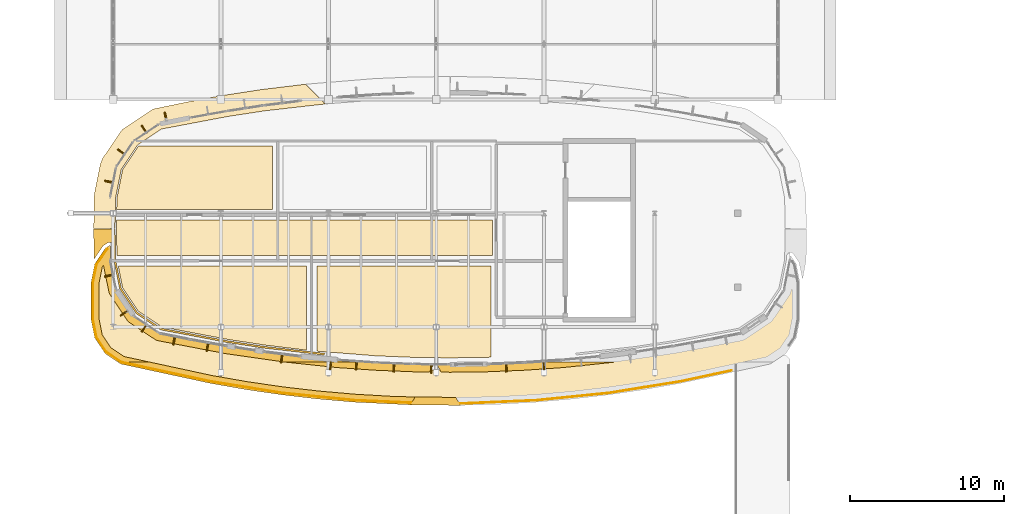
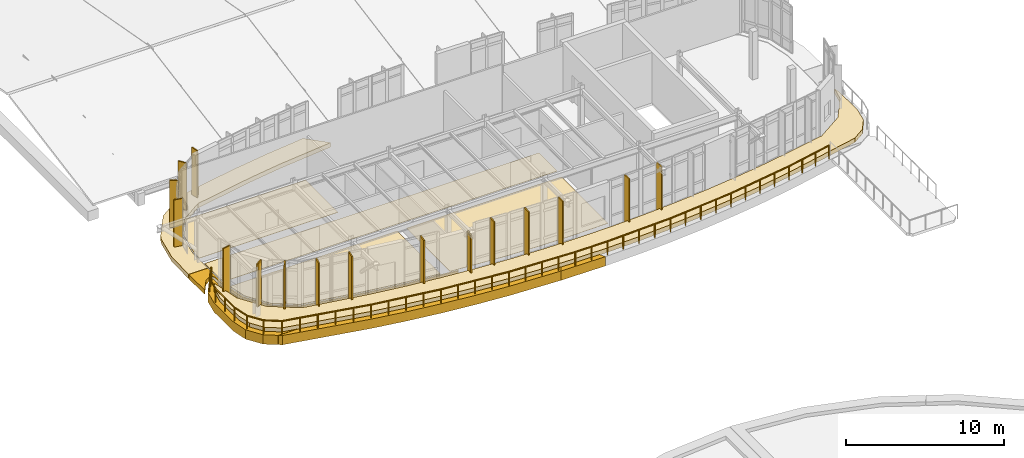
# One storey, part 97 of 105: 28 coverings, 3 shading devices, 1 railing.
"""IFC4 building model written with IfcOpenShell, lengths in metres."""

import ifcopenshell
import ifcopenshell.guid

model = None  # the IFC model being written
_history = None  # IfcOwnerHistory: only IFC2X3 demands one
_inside = {}  # id of a spatial element -> (the spatial element, [elements in it])
_under = {}  # id of a project, library or spatial element -> (it, [spatial elements below it])
_declared = {}  # id of a project -> (the project, [libraries it declares])
_typed = {}  # id of a type object -> (the type object, [elements of that type])
_made_of = {}  # id of a material, layer set ... -> (it, [elements and type objects made of it])


def new_model(schema):
    """Start an empty IFC model of exactly this schema.

    Asked for "IFC4X3", IfcOpenShell would pick the latest addendum, in which some entities
    have other attributes; the version numbers below select the first issue.
    IFC2X3 requires an IfcOwnerHistory on every rooted entity: one is made here for all.
    """
    global model, _history
    if schema == "IFC4X3":
        model = ifcopenshell.file(schema_version=(4, 3, 0, 0))
    else:
        model = ifcopenshell.file(schema=schema)
    _inside.clear()
    _under.clear()
    _declared.clear()
    _typed.clear()
    _made_of.clear()
    _history = None
    if model.schema == "IFC2X3":
        org = make("IfcOrganization", Name="unknown")
        user = make(
            "IfcPersonAndOrganization",
            ThePerson=make("IfcPerson", FamilyName="unknown"),
            TheOrganization=org,
        )
        app = make(
            "IfcApplication",
            ApplicationDeveloper=org,
            Version="unknown",
            ApplicationFullName="unknown",
            ApplicationIdentifier="unknown",
        )
        _history = make(
            "IfcOwnerHistory",
            OwningUser=user,
            OwningApplication=app,
            ChangeAction="ADDED",
            CreationDate=0,
        )
    return model


def make(cls, **values):
    """One entity of the class cls with the attributes given. An attribute that is None is left unset."""
    return model.create_entity(
        cls, **{name: value for name, value in values.items() if value is not None}
    )


def rooted(cls, **values):
    """An entity with a GlobalId (a new one), such as an element, a storey or a relation."""
    return make(cls, GlobalId=ifcopenshell.guid.new(), OwnerHistory=_history, **values)


def si_unit(unit_type, name, prefix=None):
    """IfcSIUnit, for example si_unit("LENGTHUNIT", "METRE", prefix="MILLI")."""
    return make("IfcSIUnit", UnitType=unit_type, Prefix=prefix, Name=name)


def assignment(units):
    """IfcUnitAssignment: the units of a project."""
    return None if units is None else make("IfcUnitAssignment", Units=units)


def point(xyz):
    """IfcCartesianPoint."""
    return None if xyz is None else make("IfcCartesianPoint", Coordinates=xyz)


def direction(xyz):
    """IfcDirection."""
    return None if xyz is None else make("IfcDirection", DirectionRatios=xyz)


def frame(location, z_axis=None, x_axis=None):
    """IfcAxis2Placement3D, a coordinate frame: its origin and axes. An axis left out is left unset."""
    return make(
        "IfcAxis2Placement3D",
        Location=point(location),
        Axis=direction(z_axis),
        RefDirection=direction(x_axis),
    )


def frame_2d(location, x_axis=None):
    """IfcAxis2Placement2D, a coordinate frame in the plane: its origin and x axis."""
    return make(
        "IfcAxis2Placement2D", Location=point(location), RefDirection=direction(x_axis)
    )


def origin():
    """The frame at (0, 0, 0) with its axes left unset."""
    return frame((0.0, 0.0, 0.0))


def origin_2d():
    """The frame at (0, 0) in the plane with its x axis left unset."""
    return frame_2d((0.0, 0.0))


def place(relative_to, where):
    """IfcLocalPlacement: puts the frame where relative to a parent placement (None: the world)."""
    return make(
        "IfcLocalPlacement", PlacementRelTo=relative_to, RelativePlacement=where
    )


def context(
    kind, dimensions, precision=None, world=None, true_north=None, identifier=None
):
    """IfcGeometricRepresentationContext, for example the 3D "Model" context."""
    return make(
        "IfcGeometricRepresentationContext",
        ContextIdentifier=identifier,
        ContextType=kind,
        CoordinateSpaceDimension=dimensions,
        Precision=precision,
        WorldCoordinateSystem=world,
        TrueNorth=true_north,
    )


def subcontext(parent, identifier, kind, view, scale=None):
    """IfcGeometricRepresentationSubContext, for example "Body" below "Model"."""
    return make(
        "IfcGeometricRepresentationSubContext",
        ContextIdentifier=identifier,
        ContextType=kind,
        ParentContext=parent,
        TargetScale=scale,
        TargetView=view,
    )


def project(units=None, contexts=None):
    """IfcProject with its units and contexts."""
    return rooted(
        "IfcProject",
        Name="project",
        RepresentationContexts=contexts,
        UnitsInContext=assignment(units),
    )


def spatial(cls, under=None, at=None, **own):
    """A site, building, storey or space (cls), placed at a placement, below another one or the project."""
    s = rooted(cls, ObjectPlacement=at, **own)
    if under is not None:
        _under.setdefault(under.id(), (under, []))[1].append(s)
    return s


def polyline(points):
    """IfcPolyline through the points."""
    return make("IfcPolyline", Points=[point(p) for p in points])


def profile(cls, at=None, kind="AREA", **sizes):
    """A parametric profile (cls). Its sizes go by their IFC names, for example OverallWidth=200.0."""
    return make(cls, ProfileType=kind, Position=at, **sizes)


def rectangle(**sizes):
    """IfcRectangleProfileDef."""
    return profile("IfcRectangleProfileDef", **sizes)


def circle(**sizes):
    """IfcCircleProfileDef."""
    return profile("IfcCircleProfileDef", **sizes)


def outline(outer, holes=None, kind="AREA"):
    """IfcArbitraryClosedProfileDef: a profile drawn as a closed curve; with holes, ...WithVoids."""
    if holes is None:
        return make("IfcArbitraryClosedProfileDef", ProfileType=kind, OuterCurve=outer)
    return make(
        "IfcArbitraryProfileDefWithVoids",
        ProfileType=kind,
        OuterCurve=outer,
        InnerCurves=holes,
    )


def extrude(swept, where, along, depth):
    """IfcExtrudedAreaSolid: the profile swept, set in the frame where, extruded along a direction by depth."""
    return make(
        "IfcExtrudedAreaSolid",
        SweptArea=swept,
        Position=where,
        ExtrudedDirection=direction(along),
        Depth=depth,
    )


def shape(context_of_items, identifier, shape_type, items):
    """IfcShapeRepresentation: the items that make up one representation, for example the "Body"."""
    return make(
        "IfcShapeRepresentation",
        ContextOfItems=context_of_items,
        RepresentationIdentifier=identifier,
        RepresentationType=shape_type,
        Items=items,
    )


def material(Name=None, Category=None):
    """IfcMaterial."""
    return make("IfcMaterial", Name=Name, Category=Category)


def layer(
    of_material, thickness, ventilated=None, Name=None, Category=None, Priority=None
):
    """IfcMaterialLayer: one layer of a wall or slab, of a material (None: an air gap)."""
    return make(
        "IfcMaterialLayer",
        Material=of_material,
        LayerThickness=thickness,
        IsVentilated=ventilated,
        Name=Name,
        Category=Category,
        Priority=Priority,
    )


def layer_set(layers, Name=None):
    """IfcMaterialLayerSet."""
    return make("IfcMaterialLayerSet", MaterialLayers=layers, LayerSetName=Name)


def made_of(thing, what):
    """Note that an element or type object is made of a material, layer set ...; save() writes the relation."""
    if what is not None:
        _made_of.setdefault(what.id(), (what, []))[1].append(thing)
    return thing


def type_object(cls, material=None, **own):
    """A type object (cls), such as IfcWallType, which elements share."""
    return made_of(rooted(cls, **own), material)


def element(
    cls,
    number,
    at=None,
    inside=None,
    cuts=None,
    type_object=None,
    material=None,
    context=None,
    identifier="Body",
    shape_type=None,
    held_by="IfcProductDefinitionShape",
    body=None,
    shapes=None,
    **own,
):
    """One element of the class cls, such as IfcWall. Its Tag is "e" and its number.

    at: its placement. inside: the storey or other place that contains it. cuts: it is an
    opening in that element (IfcRelVoidsElement). A single representation is given by context,
    identifier, shape_type and body (its items); several are given by shapes. held_by: the class
    of the entity that holds the representations. save() writes the other relations.
    """
    e = rooted(cls, Tag="e%d" % number, ObjectPlacement=at, **own)
    if body is not None:
        shapes = [shape(context, identifier, shape_type, body)]
    if shapes is not None:
        e.Representation = make(held_by, Representations=shapes)
    if inside is not None:
        _inside.setdefault(inside.id(), (inside, []))[1].append(e)
    if cuts is not None:
        rooted(
            "IfcRelVoidsElement", RelatingBuildingElement=cuts, RelatedOpeningElement=e
        )
    if type_object is not None:
        _typed.setdefault(type_object.id(), (type_object, []))[1].append(e)
    return made_of(e, material)


def aggregate(whole, parts):
    """IfcRelAggregates: a whole, such as a stair, and the parts it consists of."""
    return rooted("IfcRelAggregates", RelatingObject=whole, RelatedObjects=parts)


def save(model, path):
    """Write the relations noted so far, then the file.

    IfcRelAggregates (storeys below a building ...), IfcRelContainedInSpatialStructure (elements
    in a storey), IfcRelDefinesByType, IfcRelAssociatesMaterial and IfcRelDeclares: one each for
    every whole, place, type object, material and project.
    """
    for whole, parts in _under.values():
        aggregate(whole, parts)
    for where, things in _inside.values():
        rooted(
            "IfcRelContainedInSpatialStructure",
            RelatedElements=things,
            RelatingStructure=where,
        )
    for kind, things in _typed.values():
        rooted("IfcRelDefinesByType", RelatedObjects=things, RelatingType=kind)
    for what, things in _made_of.values():
        rooted("IfcRelAssociatesMaterial", RelatedObjects=things, RelatingMaterial=what)
    for by, libraries in _declared.values():
        rooted("IfcRelDeclares", RelatingContext=by, RelatedDefinitions=libraries)
    model.write(path)


model = new_model("IFC4")

# Units and contexts
model_context = context("Model", 3, precision=1e-05, world=origin(), true_north=direction((0.0, 1.0)))
body_context = subcontext(model_context, "Body", "Model", "MODEL_VIEW")
ifc_project = project(units=[si_unit("LENGTHUNIT", "METRE"), si_unit("AREAUNIT", "SQUARE_METRE"), si_unit("VOLUMEUNIT", "CUBIC_METRE"), si_unit("PLANEANGLEUNIT", "RADIAN"), si_unit("MASSUNIT", "GRAM", prefix="KILO")], contexts=[model_context])

# Site, building, storey
site_placement = place(None, origin())
site = spatial("IfcSite", under=ifc_project, at=site_placement, CompositionType="ELEMENT")
building_placement = place(site_placement, origin())
building = spatial("IfcBuilding", under=site, at=building_placement, Name="Corveleigh Park Community Centre", CompositionType="ELEMENT")
storey_placement = place(building_placement, frame((0.0, 0.0, 8.699951171875)))
storey = spatial("IfcBuildingStorey", under=building, at=storey_placement, Name="L02", CompositionType="ELEMENT", Elevation=8.699951171875)

# Coverings
ifc_material_1 = material(Name="Warm buff ribbed architectural cladding", Category="masonry")
ifc_layer_1 = layer(ifc_material_1, 0.0849609375, Name="Warm buff ribbed architectural cladding", Category="masonry")
ifc_layer_set_1 = layer_set([ifc_layer_1], Name="Warm buff ribbed architectural cladding")
covering_type_1 = type_object("IfcCoveringType", Name="COV-CLD-BUF", PredefinedType="CLADDING", material=ifc_layer_set_1)
covering_1_placement = place(storey_placement, origin())
element("IfcCovering", 1, at=covering_1_placement, inside=storey, type_object=covering_type_1, Name="V2 L02 Brise-soleil blade 298", PredefinedType="CLADDING", context=body_context, shape_type="SweptSolid", body=[
    extrude(outline(polyline([(17.425048828125, 76.99609375), (17.342041015625, 77.010986328125), (17.238037109375, 76.43994140625), (17.322021484375, 76.425048828125), (17.425048828125, 76.99609375)])), origin(), (0.0, 0.0, 1.0), 3.679931640625),
])
covering_2_placement = place(storey_placement, origin())
element("IfcCovering", 2, at=covering_2_placement, inside=storey, type_object=covering_type_1, Name="V2 L02 Brise-soleil blade 299", PredefinedType="CLADDING", context=body_context, shape_type="SweptSolid", body=[
    extrude(outline(polyline([(22.23095703125, 76.261962890625), (22.14697265625, 76.27197265625), (22.074951171875, 75.697021484375), (22.158935546875, 75.68603515625), (22.23095703125, 76.261962890625)])), origin(), (0.0, 0.0, 1.0), 3.679931640625),
])
covering_3_placement = place(storey_placement, origin())
element("IfcCovering", 3, at=covering_3_placement, inside=storey, type_object=covering_type_1, Name="V2 L02 Brise-soleil blade 300", PredefinedType="CLADDING", context=body_context, shape_type="SweptSolid", body=[
    extrude(outline(polyline([(25.383056640625, 75.748046875), (25.299072265625, 75.756103515625), (25.2470703125, 75.222900390625), (25.33203125, 75.215087890625), (25.383056640625, 75.748046875)])), origin(), (0.0, 0.0, 1.0), 3.259033203125),
])
covering_4_placement = place(storey_placement, origin())
element("IfcCovering", 4, at=covering_4_placement, inside=storey, type_object=covering_type_1, Name="V2 L02 Brise-soleil blade 301", PredefinedType="CLADDING", context=body_context, shape_type="SweptSolid", body=[
    extrude(outline(polyline([(27.070068359375, 75.794921875), (26.985107421875, 75.801025390625), (26.945068359375, 75.221923828125), (27.030029296875, 75.216064453125), (27.070068359375, 75.794921875)])), origin(), (0.0, 0.0, 1.0), 3.679931640625),
])
covering_5_placement = place(storey_placement, origin())
element("IfcCovering", 5, at=covering_5_placement, inside=storey, type_object=covering_type_1, Name="V2 L02 Brise-soleil blade 302", PredefinedType="CLADDING", context=body_context, shape_type="SweptSolid", body=[
    extrude(outline(polyline([(29.4970703125, 75.662109375), (29.412109375, 75.6650390625), (29.387939453125, 75.0859375), (29.472900390625, 75.08203125), (29.4970703125, 75.662109375)])), origin(), (0.0, 0.0, 1.0), 3.679931640625),
])
covering_6_placement = place(storey_placement, origin())
element("IfcCovering", 6, at=covering_6_placement, inside=storey, type_object=covering_type_1, Name="V2 L02 Brise-soleil blade 303", PredefinedType="CLADDING", context=body_context, shape_type="SweptSolid", body=[
    extrude(outline(polyline([(31.927001953125, 75.595947265625), (31.842041015625, 75.596923828125), (31.833984375, 75.01708984375), (31.9189453125, 75.01611328125), (31.927001953125, 75.595947265625)])), origin(), (0.0, 0.0, 1.0), 3.679931640625),
])
covering_7_placement = place(storey_placement, origin())
element("IfcCovering", 7, at=covering_7_placement, inside=storey, type_object=covering_type_1, Name="V2 L02 Brise-soleil blade 304", PredefinedType="CLADDING", context=body_context, shape_type="SweptSolid", body=[
    extrude(outline(polyline([(36.7880859375, 75.6650390625), (36.702880859375, 75.662109375), (36.72705078125, 75.08203125), (36.81201171875, 75.0859375), (36.7880859375, 75.6650390625)])), origin(), (0.0, 0.0, 1.0), 3.679931640625),
])
covering_8_placement = place(storey_placement, origin())
element("IfcCovering", 8, at=covering_8_placement, inside=storey, type_object=covering_type_1, Name="V2 L02 Brise-soleil blade 305", PredefinedType="CLADDING", context=body_context, shape_type="SweptSolid", body=[
    extrude(outline(polyline([(39.215087890625, 75.801025390625), (39.1298828125, 75.794921875), (39.169921875, 75.216064453125), (39.2548828125, 75.221923828125), (39.215087890625, 75.801025390625)])), origin(), (0.0, 0.0, 1.0), 3.679931640625),
])
covering_9_placement = place(storey_placement, origin())
element("IfcCovering", 9, at=covering_9_placement, inside=storey, type_object=covering_type_1, Name="V2 L02 Brise-soleil blade 326", PredefinedType="CLADDING", context=body_context, shape_type="SweptSolid", body=[
    extrude(outline(polyline([(14.614990234375, 91.43603515625), (14.698974609375, 91.451904296875), (14.593994140625, 91.97705078125), (14.510986328125, 91.9599609375), (14.614990234375, 91.43603515625)])), origin(), (0.0, 0.0, 1.0), 3.679931640625),
])
covering_10_placement = place(storey_placement, origin())
element("IfcCovering", 10, at=covering_10_placement, inside=storey, type_object=covering_type_1, Name="V2 L02 Brise-soleil blade 327", PredefinedType="CLADDING", context=body_context, shape_type="SweptSolid", body=[
    extrude(outline(polyline([(13.3349609375, 90.60302734375), (13.405029296875, 90.64990234375), (13.083984375, 91.133056640625), (13.012939453125, 91.0859375), (13.3349609375, 90.60302734375)])), origin(), (0.0, 0.0, 1.0), 3.679931640625),
])
covering_11_placement = place(storey_placement, origin())
element("IfcCovering", 11, at=covering_11_placement, inside=storey, type_object=covering_type_1, Name="V2 L02 Brise-soleil blade 328", PredefinedType="CLADDING", context=body_context, shape_type="SweptSolid", body=[
    extrude(outline(polyline([(11.949951171875, 89.195068359375), (11.9970703125, 89.264892578125), (11.513916015625, 89.5869140625), (11.467041015625, 89.51611328125), (11.949951171875, 89.195068359375)])), origin(), (0.0, 0.0, 1.0), 3.679931640625),
])
covering_12_placement = place(storey_placement, origin())
element("IfcCovering", 12, at=covering_12_placement, inside=storey, type_object=covering_type_1, Name="V2 L02 Brise-soleil blade 329", PredefinedType="CLADDING", context=body_context, shape_type="SweptSolid", body=[
    extrude(outline(polyline([(11.20703125, 87.35205078125), (11.222900390625, 87.43603515625), (10.655029296875, 87.549072265625), (10.637939453125, 87.466064453125), (11.20703125, 87.35205078125)])), origin(), (0.0, 0.0, 1.0), 3.679931640625),
])
covering_13_placement = place(storey_placement, origin())
element("IfcCovering", 13, at=covering_13_placement, inside=storey, type_object=covering_type_1, Name="V2 L02 Brise-soleil blade 330", PredefinedType="CLADDING", context=body_context, shape_type="SweptSolid", body=[
    extrude(outline(polyline([(11.222900390625, 81.364013671875), (11.20703125, 81.447998046875), (10.637939453125, 81.333984375), (10.655029296875, 81.2509765625), (11.222900390625, 81.364013671875)])), origin(), (0.0, 0.0, 1.0), 3.679931640625),
])
covering_14_placement = place(storey_placement, origin())
element("IfcCovering", 14, at=covering_14_placement, inside=storey, type_object=covering_type_1, Name="V2 L02 Brise-soleil blade 331", PredefinedType="CLADDING", context=body_context, shape_type="SweptSolid", body=[
    extrude(outline(polyline([(12.14599609375, 79.012939453125), (12.09912109375, 79.083984375), (11.654052734375, 78.787109375), (11.700927734375, 78.717041015625), (12.14599609375, 79.012939453125)])), origin(), (0.0, 0.0, 1.0), 3.679931640625),
])
covering_15_placement = place(storey_placement, origin())
element("IfcCovering", 15, at=covering_15_placement, inside=storey, type_object=covering_type_1, Name="V2 L02 Brise-soleil blade 332", PredefinedType="CLADDING", context=body_context, shape_type="SweptSolid", body=[
    extrude(outline(polyline([(13.405029296875, 78.14990234375), (13.3349609375, 78.197021484375), (13.012939453125, 77.714111328125), (13.083984375, 77.6669921875), (13.405029296875, 78.14990234375)])), origin(), (0.0, 0.0, 1.0), 3.679931640625),
])
covering_16_placement = place(storey_placement, origin())
element("IfcCovering", 16, at=covering_16_placement, inside=storey, type_object=covering_type_1, Name="V2 L02 Brise-soleil blade 333", PredefinedType="CLADDING", context=body_context, shape_type="SweptSolid", body=[
    extrude(outline(polyline([(15.256103515625, 77.405029296875), (15.172119140625, 77.422119140625), (15.05908203125, 76.85302734375), (15.14306640625, 76.8369140625), (15.256103515625, 77.405029296875)])), origin(), (0.0, 0.0, 1.0), 3.679931640625),
])
ifc_material_2 = material(Name="White architectural fascia cladding", Category="masonry")
ifc_layer_2 = layer(ifc_material_2, 0.074951171875, Name="White architectural fascia cladding", Category="masonry")
ifc_layer_set_2 = layer_set([ifc_layer_2], Name="White architectural fascia cladding")
covering_type_2 = type_object("IfcCoveringType", Name="COV-CLD-WHT", PredefinedType="CLADDING", material=ifc_layer_set_2)
covering_17_placement = place(storey_placement, frame((0.0, 0.0, -0.679931640625)))
element("IfcCovering", 17, at=covering_17_placement, inside=storey, type_object=covering_type_2, Name="Sports Studio Courtyard Terrace Sweeping White Edge Band 2", PredefinedType="CLADDING", context=body_context, shape_type="SweptSolid", body=[
    extrude(outline(polyline([(10.68505859375, 76.27392578125), (9.9970703125, 77.302978515625), (9.760009765625, 78.49609375), (9.760009765625, 80.904052734375), (9.9990234375, 82.10400390625), (10.674072265625, 83.114990234375), (10.971923828125, 83.31005859375), (11.011962890625, 83.27099609375), (11.02490234375, 82.385986328125), (11.419921875, 80.408935546875), (12.535888671875, 78.736083984375), (14.2109375, 77.618896484375), (18.5810546875, 76.7900390625), (20.98388671875, 76.423095703125), (23.39599609375, 76.12109375), (25.81494140625, 75.886962890625), (27.9541015625, 75.739013671875), (22.238037109375, 75.741943359375), (18.5009765625, 76.277099609375), (14.014892578125, 77.136962890625), (12.240966796875, 78.30810546875), (12.10791015625, 78.44091796875), (10.93896484375, 80.208984375), (10.568115234375, 82.02099609375), (10.488037109375, 81.902099609375), (10.280029296875, 80.85693359375), (10.280029296875, 78.54296875), (10.488037109375, 77.498046875), (11.052978515625, 76.653076171875), (11.902099609375, 76.0859375), (13.47802734375, 75.74609375), (11.472900390625, 75.7470703125), (10.68505859375, 76.27392578125)])), origin(), (0.0, 0.0, 1.0), 0.719970703125),
])
covering_18_placement = place(storey_placement, frame((0.0, 0.0, -0.679931640625)))
element("IfcCovering", 18, at=covering_18_placement, inside=storey, type_object=covering_type_2, Name="Sports Studio Courtyard Terrace Sweeping White Edge Band 3", PredefinedType="CLADDING", context=body_context, shape_type="SweptSolid", body=[
    extrude(outline(polyline([(30.527099609375, 72.945068359375), (26.888916015625, 73.117919921875), (24.530029296875, 73.322998046875), (22.179931640625, 73.594970703125), (19.839111328125, 73.93603515625), (17.507080078125, 74.344970703125), (11.702880859375, 75.596923828125), (11.50390625, 75.72607421875), (13.56396484375, 75.72705078125), (17.60693359375, 74.85498046875), (19.9208984375, 74.449951171875), (22.248046875, 74.111083984375), (24.5830078125, 73.841064453125), (26.927001953125, 73.636962890625), (29.27392578125, 73.501953125), (30.822998046875, 73.4560546875), (30.527099609375, 72.945068359375)])), origin(), (0.0, 0.0, 1.0), 0.719970703125),
])
covering_19_placement = place(storey_placement, frame((0.0, 0.0, -0.679931640625)))
element("IfcCovering", 19, at=covering_19_placement, inside=storey, type_object=covering_type_2, Name="Sports Studio Courtyard Terrace Sweeping White Edge Band 4", PredefinedType="CLADDING", context=body_context, shape_type="SweptSolid", body=[
    extrude(outline(polyline([(28.239990234375, 75.718994140625), (32.06103515625, 75.59912109375), (31.762939453125, 75.0830078125), (30.662109375, 75.097900390625), (28.218017578125, 75.198974609375), (25.779052734375, 75.367919921875), (22.31689453125, 75.73193359375), (28.239990234375, 75.718994140625)])), origin(), (0.0, 0.0, 1.0), 0.719970703125),
])
covering_20_placement = place(storey_placement, frame((0.0, 0.0, -0.679931640625)))
element("IfcCovering", 20, at=covering_20_placement, inside=storey, type_object=covering_type_2, Name="Sports Studio Courtyard Terrace Sweeping White Edge Band 5", PredefinedType="CLADDING", context=body_context, shape_type="SweptSolid", body=[
    extrude(outline(polyline([(33.76904296875, 72.9130859375), (30.531005859375, 72.945068359375), (30.825927734375, 73.4560546875), (33.468994140625, 73.43310546875), (33.76904296875, 72.9130859375)])), origin(), (0.0, 0.0, 1.0), 0.719970703125),
])
covering_21_placement = place(storey_placement, frame((0.0, 0.0, -0.679931640625)))
element("IfcCovering", 21, at=covering_21_placement, inside=storey, type_object=covering_type_2, Name="Sports Studio Courtyard Terrace Sweeping White Edge Band 7", PredefinedType="CLADDING", context=body_context, shape_type="SweptSolid", body=[
    extrude(outline(polyline([(32.221923828125, 75.596923828125), (35.530029296875, 75.617919921875), (38.172119140625, 75.73388671875), (43.8759765625, 75.73095703125), (40.43408203125, 75.368896484375), (37.9951171875, 75.199951171875), (35.551025390625, 75.097900390625), (33.10693359375, 75.06494140625), (32.52392578125, 75.072998046875), (32.221923828125, 75.596923828125)])), origin(), (0.0, 0.0, 1.0), 0.719970703125),
])
covering_22_placement = place(storey_placement, frame((0.0, 0.0, -0.300048828125)))
element("IfcCovering", 22, at=covering_22_placement, inside=storey, type_object=covering_type_2, Name="V2 L02 Horizontal Sun-Hood 4", PredefinedType="CLADDING", context=body_context, shape_type="SweptSolid", body=[
    extrude(outline(polyline([(9.929931640625, 84.412109375), (9.969970703125, 86.62109375), (10.364990234375, 88.60498046875), (10.52197265625, 88.98291015625), (11.77587890625, 90.823974609375), (13.798095703125, 92.175048828125), (15.97900390625, 92.6298828125), (18.41796875, 93.072021484375), (20.85009765625, 93.444091796875), (23.701904296875, 93.7890625), (24.986083984375, 92.506103515625), (21.028076171875, 92.054931640625), (18.635009765625, 91.68896484375), (14.3369140625, 90.875), (12.77001953125, 89.830078125), (11.72509765625, 88.262939453125), (11.34912109375, 86.37890625), (11.330078125, 84.410888671875), (9.929931640625, 84.412109375)])), origin(), (0.0, 0.0, 1.0), 0.340087890625),
])
covering_23_placement = place(storey_placement, frame((0.0, 0.0, -0.300048828125)))
element("IfcCovering", 23, at=covering_23_placement, inside=storey, type_object=covering_type_2, Name="V2 L02 Horizontal Sun-Hood 5", PredefinedType="CLADDING", context=body_context, shape_type="SweptSolid", body=[
    extrude(outline(polyline([(9.929931640625, 84.387939453125), (11.330078125, 84.388916015625), (11.34912109375, 82.4208984375), (11.72509765625, 80.537109375), (12.77001953125, 78.969970703125), (14.3369140625, 77.925048828125), (18.635009765625, 77.111083984375), (21.028076171875, 76.7451171875), (24.986083984375, 76.2939453125), (24.8798828125, 76.18798828125), (21.011962890625, 76.631103515625), (18.615966796875, 76.9970703125), (14.2919921875, 77.81689453125), (12.68701171875, 78.886962890625), (11.616943359375, 80.490966796875), (11.235107421875, 82.408935546875), (11.219970703125, 83.298095703125), (11.14697265625, 83.447998046875), (11.04296875, 83.510009765625), (10.89892578125, 83.509033203125), (10.548095703125, 83.285888671875), (9.949951171875, 82.408935546875), (9.929931640625, 84.387939453125)])), origin(), (0.0, 0.0, 1.0), 0.340087890625),
])
ifc_material_3 = material(Name="Acoustic linoleum flooring", Category="wood")
ifc_layer_3 = layer(ifc_material_3, 0.02490234375, Name="Acoustic linoleum flooring", Category="wood")
ifc_layer_set_3 = layer_set([ifc_layer_3], Name="Acoustic linoleum flooring")
covering_type_3 = type_object("IfcCoveringType", Name="COV-FLR-LIN", PredefinedType="FLOORING", material=ifc_layer_set_3)
covering_24_placement = place(storey_placement, origin())
element("IfcCovering", 24, at=covering_24_placement, inside=storey, type_object=covering_type_3, Name="Youth Studio Corridor flooring", PredefinedType="FLOORING", context=body_context, shape_type="SweptSolid", body=[
    extrude(outline(polyline([(35.85009765625, 84.9599609375), (35.85009765625, 82.639892578125), (11.43603515625, 82.639892578125), (11.419921875, 84.9599609375), (35.85009765625, 84.9599609375)])), origin(), (0.0, 0.0, 1.0), 0.025146484375),
])
covering_25_placement = place(storey_placement, origin())
element("IfcCovering", 25, at=covering_25_placement, inside=storey, type_object=covering_type_3, Name="Homework Classroom V2 flooring", PredefinedType="FLOORING", context=body_context, shape_type="SweptSolid", body=[
    extrude(outline(polyline([(30.680908203125, 76.032958984375), (28.262939453125, 76.133056640625), (24.43994140625, 76.43701171875), (24.43994140625, 81.9599609375), (35.760009765625, 81.9599609375), (35.760009765625, 76.04296875), (33.10009765625, 76.0), (30.680908203125, 76.032958984375)])), origin(), (0.0, 0.0, 1.0), 0.025146484375),
])
covering_26_placement = place(storey_placement, origin())
element("IfcCovering", 26, at=covering_26_placement, inside=storey, type_object=covering_type_3, Name="Youth Mentoring Suite flooring", PredefinedType="FLOORING", context=body_context, shape_type="SweptSolid", body=[
    extrude(outline(polyline([(21.56005859375, 89.760009765625), (21.56005859375, 85.639892578125), (11.428955078125, 85.639892578125), (11.43896484375, 86.368896484375), (11.80908203125, 88.22802734375), (12.83203125, 89.760009765625), (21.56005859375, 89.760009765625)])), origin(), (0.0, 0.0, 1.0), 0.025146484375),
])
ifc_material_4 = material(Name="Sprung hardwood sports flooring", Category="wood")
ifc_layer_4 = layer(ifc_material_4, 0.044921875, Name="Sprung hardwood sports flooring", Category="wood")
ifc_layer_set_4 = layer_set([ifc_layer_4], Name="Sprung hardwood sports flooring")
covering_type_4 = type_object("IfcCoveringType", Name="COV-FLR-SPR", PredefinedType="FLOORING", material=ifc_layer_set_4)
covering_27_placement = place(storey_placement, origin())
element("IfcCovering", 27, at=covering_27_placement, inside=storey, type_object=covering_type_4, Name="Youth Media Studio flooring", PredefinedType="FLOORING", context=body_context, shape_type="SweptSolid", body=[
    extrude(outline(polyline([(18.64990234375, 77.199951171875), (14.3720703125, 78.009033203125), (12.8349609375, 79.034912109375), (11.80908203125, 80.572021484375), (11.532958984375, 81.9599609375), (23.760009765625, 81.9599609375), (23.760009765625, 76.5029296875), (21.041015625, 76.833984375), (18.64990234375, 77.199951171875)])), origin(), (0.0, 0.0, 1.0), 0.045166015625),
])
ifc_material_5 = material(Name="Extensive sedum roof build-up", Category="masonry")
ifc_layer_5 = layer(ifc_material_5, 0.35009765625, Name="Extensive sedum roof build-up", Category="masonry")
ifc_layer_set_5 = layer_set([ifc_layer_5], Name="Extensive sedum roof build-up")
covering_type_5 = type_object("IfcCoveringType", Name="COV-ROF-GRN", PredefinedType="ROOFING", material=ifc_layer_set_5)
covering_28_placement = place(storey_placement, origin())
element("IfcCovering", 28, at=covering_28_placement, inside=storey, type_object=covering_type_5, Name="Sports Studio Courtyard Terrace sedum build-up", PredefinedType="ROOFING", context=body_context, shape_type="SweptSolid", body=[
    extrude(outline(polyline([(10.635986328125, 82.35693359375), (11.05908203125, 80.259033203125), (12.216064453125, 78.512939453125), (14.06396484375, 77.257080078125), (18.509033203125, 76.406982421875), (20.925048828125, 76.037109375), (23.34912109375, 75.73388671875), (25.778076171875, 75.4990234375), (28.222900390625, 75.3291015625), (30.6640625, 75.22802734375), (33.094970703125, 75.195068359375), (35.535888671875, 75.22802734375), (37.986083984375, 75.330078125), (40.422119140625, 75.4990234375), (42.843017578125, 75.73291015625), (45.264892578125, 76.035888671875), (47.69091796875, 76.406982421875), (52.071044921875, 77.237060546875), (53.965087890625, 78.486083984375), (55.1279296875, 80.22900390625), (55.360107421875, 81.320068359375), (55.449951171875, 80.867919921875), (55.449951171875, 78.531005859375), (55.23388671875, 77.447998046875), (54.64111328125, 76.55908203125), (53.75, 75.964111328125), (48.01806640625, 74.72802734375), (45.699951171875, 74.322021484375), (43.368896484375, 73.98193359375), (41.030029296875, 73.7109375), (38.68310546875, 73.507080078125), (36.33203125, 73.3720703125), (33.97802734375, 73.302978515625), (31.6220703125, 73.302978515625), (29.26806640625, 73.3720703125), (26.9169921875, 73.507080078125), (24.570068359375, 73.7109375), (22.23095703125, 73.98193359375), (19.89990234375, 74.322021484375), (17.58203125, 74.72802734375), (11.85009765625, 75.964111328125), (10.958984375, 76.55908203125), (10.365966796875, 77.447998046875), (10.14990234375, 78.531005859375), (10.14990234375, 80.868896484375), (10.365966796875, 81.951904296875), (10.635986328125, 82.35693359375)])), origin(), (0.0, 0.0, 1.0), 0.35009765625),
])

# Railing
ifc_material_6 = material(Name="Stainless steel 316 balustrade", Category="steel")
railing_type = type_object("IfcRailingType", Name="RLG-BAL-EXT-1100", PredefinedType="BALUSTRADE", material=ifc_material_6)
railing_placement = place(storey_placement, frame((51.39990234375, 75.180908203125, 0.0)))
element("IfcRailing", 29, at=railing_placement, inside=storey, type_object=railing_type, Name="Sports Studio Courtyard Terrace guard 11", PredefinedType="BALUSTRADE", context=body_context, shape_type="SweptSolid", body=[
    extrude(circle(Radius=0.02392578125, at=origin_2d()), frame((0.0, 0.0, 1.076171875), z_axis=(-0.977532048931, -0.21078684331, 0.0), x_axis=(0.21078684331, -0.977532048931, 0.0)), (0.0, 0.0, 1.0), 3.40625),
    extrude(circle(Radius=0.02392578125, at=origin_2d()), frame((-3.329833984375, -0.718017578125, 1.076171875), z_axis=(-0.987367344632, -0.158447867622, 0.0), x_axis=(0.158447867622, -0.987367344632, 0.0)), (0.0, 0.0, 1.0), 4.725830078125),
    extrude(circle(Radius=0.02392578125, at=origin_2d()), frame((-7.995849609375, -1.466796875, 1.076171875), z_axis=(-0.994913683793, -0.10073113621, 0.0), x_axis=(0.10073113621, -0.994913683793, 0.0)), (0.0, 0.0, 1.0), 4.72607421875),
    extrude(circle(Radius=0.02392578125, at=origin_2d()), frame((-12.697998046875, -1.94287109375, 1.076171875), z_axis=(-0.999057425461, -0.043408071038, 0.0), x_axis=(0.043408071038, -0.999057425461, 0.0)), (0.0, 0.0, 1.0), 4.724365234375),
    extrude(circle(Radius=0.02392578125, at=origin_2d()), frame((-17.41796875, -2.14794921875, 1.076171875), z_axis=(-1.0, 0.0, 0.0), x_axis=(0.0, -1.0, 0.0)), (0.0, 0.0, 1.0), 2.364013671875),
    extrude(circle(Radius=0.02392578125, at=origin_2d()), frame((-19.781982421875, -2.14794921875, 1.076171875), z_axis=(-0.999057425461, 0.043408071038, 0.0), x_axis=(-0.043408071038, -0.999057425461, 0.0)), (0.0, 0.0, 1.0), 4.724365234375),
    extrude(circle(Radius=0.02392578125, at=origin_2d()), frame((-24.501953125, -1.94287109375, 1.076171875), z_axis=(-0.994913159601, 0.100736313475, 0.0), x_axis=(-0.100736313475, -0.994913159601, 0.0)), (0.0, 0.0, 1.0), 4.725830078125),
    extrude(circle(Radius=0.02392578125, at=origin_2d()), frame((-29.203857421875, -1.466796875, 1.076171875), z_axis=(-0.987367344632, 0.158447867622, 0.0), x_axis=(-0.158447867622, -0.987367344632, 0.0)), (0.0, 0.0, 1.0), 4.725830078125),
    extrude(circle(Radius=0.02392578125, at=origin_2d()), frame((-33.869873046875, -0.718017578125, 1.076171875), z_axis=(-0.977526376644, 0.210813147039, 0.0), x_axis=(-0.210813147039, -0.977526376644, 0.0)), (0.0, 0.0, 1.0), 5.920166015625),
    extrude(circle(Radius=0.02392578125, at=origin_2d()), frame((-39.656982421875, 0.530029296875, 1.076171875), z_axis=(-0.831251350127, 0.555896746628, 0.0), x_axis=(-0.555896746628, -0.831251350127, 0.0)), (0.0, 0.0, 1.0), 1.176513671875),
    extrude(circle(Radius=0.02392578125, at=origin_2d()), frame((-40.635009765625, 1.18408203125, 1.076171875), z_axis=(-0.556137075301, 0.831090580789, 0.0), x_axis=(-0.831090580789, -0.556137075301, 0.0)), (0.0, 0.0, 1.0), 1.175537109375),
    extrude(circle(Radius=0.02392578125, at=origin_2d()), frame((-41.288818359375, 2.1611328125, 1.076171875), z_axis=(-0.195164869761, 0.98077044899, 0.0), x_axis=(-0.98077044899, -0.195164869761, 0.0)), (0.0, 0.0, 1.0), 1.1845703125),
    extrude(circle(Radius=0.02392578125, at=origin_2d()), frame((-41.52001953125, 3.322998046875, 1.076171875), z_axis=(0.0, 1.0, 0.0), x_axis=(-1.0, 0.0, 0.0)), (0.0, 0.0, 1.0), 2.39208984375),
    extrude(circle(Radius=0.02392578125, at=origin_2d()), frame((-41.52001953125, 5.715087890625, 1.076171875), z_axis=(0.195125429966, 0.980778296345, 0.0), x_axis=(-0.980778296345, 0.195125429966, 0.0)), (0.0, 0.0, 1.0), 1.184814453125),
    extrude(circle(Radius=0.02392578125, at=origin_2d()), frame((-41.288818359375, 6.877197265625, 1.076171875), z_axis=(0.570276352645, 0.821452908945, 0.0), x_axis=(-0.821452908945, 0.570276352645, 0.0)), (0.0, 0.0, 1.0), 1.2255859375),
    extrude(circle(Radius=0.02099609375, at=origin_2d()), origin(), (0.0, 0.0, 1.0), 1.052001953125),
    extrude(circle(Radius=0.02099609375, at=origin_2d()), frame((-1.10986328125, -0.2392578125, 0.0)), (0.0, 0.0, 1.0), 1.052001953125),
    extrude(circle(Radius=0.02099609375, at=origin_2d()), frame((-2.219970703125, -0.478759765625, 0.0)), (0.0, 0.0, 1.0), 1.052001953125),
    extrude(circle(Radius=0.02099609375, at=origin_2d()), frame((-3.329833984375, -0.718017578125, 0.0)), (0.0, 0.0, 1.0), 1.052001953125),
    extrude(circle(Radius=0.02099609375, at=origin_2d()), frame((-4.496337890625, -0.9052734375, 0.0)), (0.0, 0.0, 1.0), 1.052001953125),
    extrude(circle(Radius=0.02099609375, at=origin_2d()), frame((-5.662841796875, -1.09228515625, 0.0)), (0.0, 0.0, 1.0), 1.052001953125),
    extrude(circle(Radius=0.02099609375, at=origin_2d()), frame((-6.829345703125, -1.279541015625, 0.0)), (0.0, 0.0, 1.0), 1.052001953125),
    extrude(circle(Radius=0.02099609375, at=origin_2d()), frame((-7.995849609375, -1.466796875, 0.0)), (0.0, 0.0, 1.0), 1.052001953125),
    extrude(circle(Radius=0.02099609375, at=origin_2d()), frame((-9.17138671875, -1.5859375, 0.0)), (0.0, 0.0, 1.0), 1.052001953125),
    extrude(circle(Radius=0.02099609375, at=origin_2d()), frame((-10.346923828125, -1.704833984375, 0.0)), (0.0, 0.0, 1.0), 1.052001953125),
    extrude(circle(Radius=0.02099609375, at=origin_2d()), frame((-11.5224609375, -1.82373046875, 0.0)), (0.0, 0.0, 1.0), 1.052001953125),
    extrude(circle(Radius=0.02099609375, at=origin_2d()), frame((-12.697998046875, -1.94287109375, 0.0)), (0.0, 0.0, 1.0), 1.052001953125),
    extrude(circle(Radius=0.02099609375, at=origin_2d()), frame((-13.8779296875, -1.994140625, 0.0)), (0.0, 0.0, 1.0), 1.052001953125),
    extrude(circle(Radius=0.02099609375, at=origin_2d()), frame((-15.05810546875, -2.04541015625, 0.0)), (0.0, 0.0, 1.0), 1.052001953125),
    extrude(circle(Radius=0.02099609375, at=origin_2d()), frame((-16.238037109375, -2.0966796875, 0.0)), (0.0, 0.0, 1.0), 1.052001953125),
    extrude(circle(Radius=0.02099609375, at=origin_2d()), frame((-17.41796875, -2.14794921875, 0.0)), (0.0, 0.0, 1.0), 1.052001953125),
    extrude(circle(Radius=0.02099609375, at=origin_2d()), frame((-18.60009765625, -2.14794921875, 0.0)), (0.0, 0.0, 1.0), 1.052001953125),
    extrude(circle(Radius=0.02099609375, at=origin_2d()), frame((-19.781982421875, -2.14794921875, 0.0)), (0.0, 0.0, 1.0), 1.052001953125),
    extrude(circle(Radius=0.02099609375, at=origin_2d()), frame((-20.9619140625, -2.0966796875, 0.0)), (0.0, 0.0, 1.0), 1.052001953125),
    extrude(circle(Radius=0.02099609375, at=origin_2d()), frame((-22.14208984375, -2.04541015625, 0.0)), (0.0, 0.0, 1.0), 1.052001953125),
    extrude(circle(Radius=0.02099609375, at=origin_2d()), frame((-23.322021484375, -1.994140625, 0.0)), (0.0, 0.0, 1.0), 1.052001953125),
    extrude(circle(Radius=0.02099609375, at=origin_2d()), frame((-24.501953125, -1.94287109375, 0.0)), (0.0, 0.0, 1.0), 1.052001953125),
    extrude(circle(Radius=0.02099609375, at=origin_2d()), frame((-25.677490234375, -1.82373046875, 0.0)), (0.0, 0.0, 1.0), 1.052001953125),
    extrude(circle(Radius=0.02099609375, at=origin_2d()), frame((-26.85302734375, -1.704833984375, 0.0)), (0.0, 0.0, 1.0), 1.052001953125),
    extrude(circle(Radius=0.02099609375, at=origin_2d()), frame((-28.0283203125, -1.5859375, 0.0)), (0.0, 0.0, 1.0), 1.052001953125),
    extrude(circle(Radius=0.02099609375, at=origin_2d()), frame((-29.203857421875, -1.466796875, 0.0)), (0.0, 0.0, 1.0), 1.052001953125),
    extrude(circle(Radius=0.02099609375, at=origin_2d()), frame((-30.370361328125, -1.279541015625, 0.0)), (0.0, 0.0, 1.0), 1.052001953125),
    extrude(circle(Radius=0.02099609375, at=origin_2d()), frame((-31.536865234375, -1.09228515625, 0.0)), (0.0, 0.0, 1.0), 1.052001953125),
    extrude(circle(Radius=0.02099609375, at=origin_2d()), frame((-32.703369140625, -0.9052734375, 0.0)), (0.0, 0.0, 1.0), 1.052001953125),
    extrude(circle(Radius=0.02099609375, at=origin_2d()), frame((-33.869873046875, -0.718017578125, 0.0)), (0.0, 0.0, 1.0), 1.052001953125),
    extrude(circle(Radius=0.02099609375, at=origin_2d()), frame((-35.02734375, -0.468505859375, 0.0)), (0.0, 0.0, 1.0), 1.052001953125),
    extrude(circle(Radius=0.02099609375, at=origin_2d()), frame((-36.184814453125, -0.21875, 0.0)), (0.0, 0.0, 1.0), 1.052001953125),
    extrude(circle(Radius=0.02099609375, at=origin_2d()), frame((-37.342041015625, 0.03076171875, 0.0)), (0.0, 0.0, 1.0), 1.052001953125),
    extrude(circle(Radius=0.02099609375, at=origin_2d()), frame((-38.49951171875, 0.280517578125, 0.0)), (0.0, 0.0, 1.0), 1.052001953125),
    extrude(circle(Radius=0.02099609375, at=origin_2d()), frame((-39.656982421875, 0.530029296875, 0.0)), (0.0, 0.0, 1.0), 1.052001953125),
    extrude(circle(Radius=0.02099609375, at=origin_2d()), frame((-40.635009765625, 1.18408203125, 0.0)), (0.0, 0.0, 1.0), 1.052001953125),
    extrude(circle(Radius=0.02099609375, at=origin_2d()), frame((-41.288818359375, 2.1611328125, 0.0)), (0.0, 0.0, 1.0), 1.052001953125),
    extrude(circle(Radius=0.02099609375, at=origin_2d()), frame((-41.52001953125, 3.322998046875, 0.0)), (0.0, 0.0, 1.0), 1.052001953125),
    extrude(circle(Radius=0.02099609375, at=origin_2d()), frame((-41.52001953125, 4.51904296875, 0.0)), (0.0, 0.0, 1.0), 1.052001953125),
    extrude(circle(Radius=0.02099609375, at=origin_2d()), frame((-41.52001953125, 5.715087890625, 0.0)), (0.0, 0.0, 1.0), 1.052001953125),
    extrude(circle(Radius=0.02099609375, at=origin_2d()), frame((-41.288818359375, 6.877197265625, 0.0)), (0.0, 0.0, 1.0), 1.052001953125),
    extrude(circle(Radius=0.02099609375, at=origin_2d()), frame((-40.939453125, 7.380615234375, 0.0)), (0.0, 0.0, 1.0), 1.052001953125),
    extrude(circle(Radius=0.02099609375, at=origin_2d()), frame((-40.58984375, 7.884033203125, 0.0)), (0.0, 0.0, 1.0), 1.052001953125),
])

# Shading devices
ifc_material_7 = material(Name="Terracotta-anodised aluminium fin", Category="masonry")
shading_device_type_1 = type_object("IfcShadingDeviceType", Name="SHD-FIN-TER-350", PredefinedType="USERDEFINED", material=ifc_material_7)
shading_device_1_placement = place(storey_placement, frame((25.322998046875, 75.56298828125, 0.25), z_axis=(0.0, 0.0, 1.0), x_axis=(-0.096138785108, -0.995367939004, 0.0)))
element("IfcShadingDevice", 30, at=shading_device_1_placement, inside=storey, type_object=shading_device_type_1, Name="Terracotta brise-soleil fin 59", ObjectType="FIN", PredefinedType="USERDEFINED", context=body_context, shape_type="SweptSolid", body=[
    extrude(rectangle(XDim=0.35009765625, YDim=0.06005859375, at=origin_2d()), origin(), (0.0, 0.0, 1.0), 2.85888671875),
])
shading_device_2_placement = place(storey_placement, frame((11.965087890625, 78.943115234375, 0.25), z_axis=(0.0, 0.0, 1.0), x_axis=(-0.831811465407, -0.555058272633, 0.0)))
element("IfcShadingDevice", 31, at=shading_device_2_placement, inside=storey, type_object=shading_device_type_1, Name="Terracotta brise-soleil fin 63", ObjectType="FIN", PredefinedType="USERDEFINED", context=body_context, shape_type="SweptSolid", body=[
    extrude(rectangle(XDim=0.35009765625, YDim=0.06005859375, at=origin_2d()), origin(), (0.0, 0.0, 1.0), 3.280029296875),
])
shading_device_type_2 = type_object("IfcShadingDeviceType", Name="SHD-FIN-TER-450", PredefinedType="USERDEFINED", material=ifc_material_7)
shading_device_3_placement = place(storey_placement, frame((14.6201171875, 91.6298828125, 0.25), z_axis=(0.0, 0.0, 1.0), x_axis=(-0.194944453986, 0.980814284082, 0.0)))
element("IfcShadingDevice", 32, at=shading_device_3_placement, inside=storey, type_object=shading_device_type_2, Name="Terracotta brise-soleil fin 62", ObjectType="FIN", PredefinedType="USERDEFINED", context=body_context, shape_type="SweptSolid", body=[
    extrude(rectangle(XDim=0.449951171875, YDim=0.06494140625, at=origin_2d()), origin(), (0.0, 0.0, 1.0), 3.280029296875),
])

save(model, "model.ifc")
